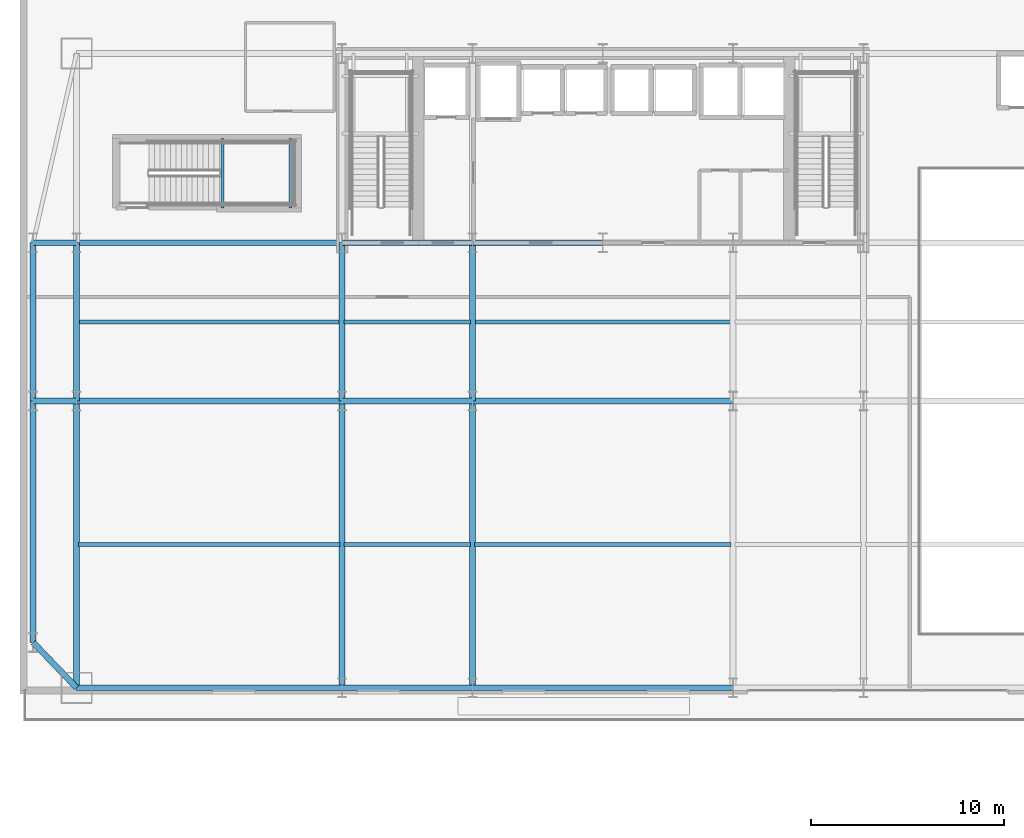
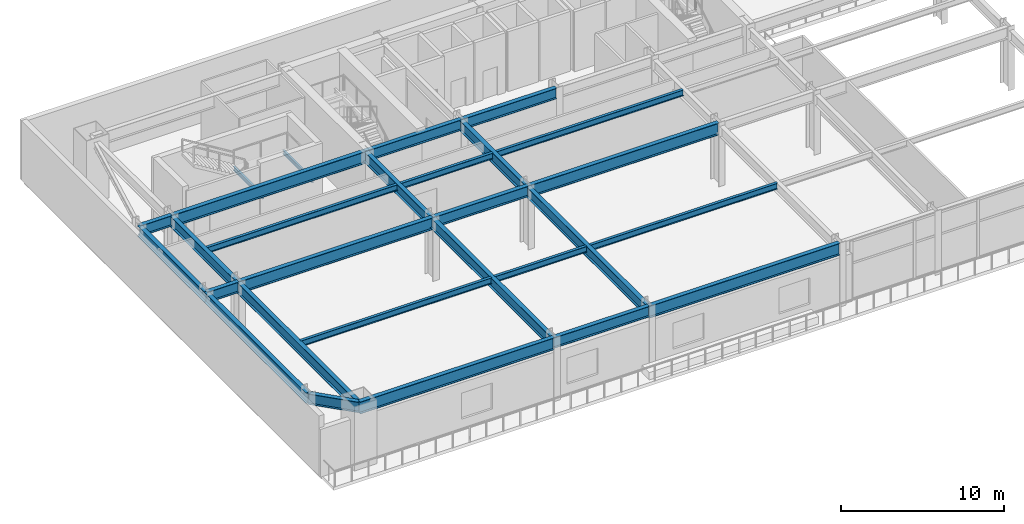
# One storey, part 3 of 28: 28 beams.
"""IFC4 building model written with IfcOpenShell, lengths in metres."""

from ifc_helpers import new_model, si_unit, direction, frame, origin, origin_2d, place, context, subcontext, project, spatial, i_section, extrude, material, material_profile, profile_set, type_object, element, save


model = new_model("IFC4")

# Units and contexts
model_context = context("Model", 3, precision=1e-05, world=origin(), true_north=direction((0.0, 1.0)))
body_context = subcontext(model_context, "Body", "Model", "MODEL_VIEW")
ifc_project = project(units=[si_unit("LENGTHUNIT", "METRE"), si_unit("AREAUNIT", "SQUARE_METRE"), si_unit("VOLUMEUNIT", "CUBIC_METRE"), si_unit("PLANEANGLEUNIT", "RADIAN"), si_unit("MASSUNIT", "GRAM", prefix="KILO")], contexts=[model_context])

# Site, building, storey
site_placement = place(None, origin())
site = spatial("IfcSite", under=ifc_project, at=site_placement, CompositionType="ELEMENT")
building_placement = place(site_placement, origin())
building = spatial("IfcBuilding", under=site, at=building_placement, Name="Haevon Station Towers", CompositionType="ELEMENT")
storey_placement = place(building_placement, frame((0.0, 0.0, 10.800048828125)))
storey = spatial("IfcBuildingStorey", under=building, at=storey_placement, Name="L02", CompositionType="ELEMENT", Elevation=10.800048828125)

# Beams
ifc_material = material(Name="Steel S355", Category="steel")
ifc_material_profile_1 = material_profile(ifc_material, i_section(OverallWidth=0.199951171875, OverallDepth=0.449951171875, WebThickness=0.009033203125, FlangeThickness=0.013916015625, at=origin_2d()), Name="H-450x200x9x14")
ifc_profile_set_1 = profile_set([ifc_material_profile_1], Name="Steel S355")
beam_type_1 = type_object("IfcBeamType", Name="BM-J450", PredefinedType="JOIST", material=ifc_profile_set_1)
beam_1_placement = place(storey_placement, frame((10.360107421875, 22.574951171875, 4.27490234375), z_axis=(1.0, 0.0, 0.0), x_axis=(0.0, 1.0, 0.0)))
element("IfcBeam", 1, at=beam_1_placement, inside=storey, type_object=beam_type_1, Name="BM-T1J-L02-01-01", PredefinedType="JOIST", context=body_context, shape_type="SweptSolid", body=[
    extrude(i_section(OverallWidth=0.199951171875, OverallDepth=0.449951171875, WebThickness=0.009033203125, FlangeThickness=0.013916015625, at=origin_2d()), origin(), (0.0, 0.0, 1.0), 13.52978515625),
])
beam_2_placement = place(storey_placement, frame((24.110107421875, 22.574951171875, 4.27490234375), z_axis=(1.0, 0.0, 0.0), x_axis=(0.0, 1.0, 0.0)))
element("IfcBeam", 2, at=beam_2_placement, inside=storey, type_object=beam_type_1, Name="BM-T1J-L02-01-02", PredefinedType="JOIST", context=body_context, shape_type="SweptSolid", body=[
    extrude(i_section(OverallWidth=0.199951171875, OverallDepth=0.449951171875, WebThickness=0.009033203125, FlangeThickness=0.013916015625, at=origin_2d()), origin(), (0.0, 0.0, 1.0), 6.52978515625),
])
beam_3_placement = place(storey_placement, frame((30.860107421875, 22.574951171875, 4.27490234375), z_axis=(1.0, 0.0, 0.0), x_axis=(0.0, 1.0, 0.0)))
element("IfcBeam", 3, at=beam_3_placement, inside=storey, type_object=beam_type_1, Name="BM-T1J-L02-01-03", PredefinedType="JOIST", context=body_context, shape_type="SweptSolid", body=[
    extrude(i_section(OverallWidth=0.199951171875, OverallDepth=0.449951171875, WebThickness=0.009033203125, FlangeThickness=0.013916015625, at=origin_2d()), origin(), (0.0, 0.0, 1.0), 13.27978515625),
])
beam_4_placement = place(storey_placement, frame((10.360107421875, 34.10009765625, 4.27490234375), z_axis=(1.0, 0.0, 0.0), x_axis=(0.0, 1.0, 0.0)))
element("IfcBeam", 4, at=beam_4_placement, inside=storey, type_object=beam_type_1, Name="BM-T1J-L02-02-01", PredefinedType="JOIST", context=body_context, shape_type="SweptSolid", body=[
    extrude(i_section(OverallWidth=0.199951171875, OverallDepth=0.449951171875, WebThickness=0.009033203125, FlangeThickness=0.013916015625, at=origin_2d()), origin(), (0.0, 0.0, 1.0), 13.52978515625),
])
beam_5_placement = place(storey_placement, frame((24.110107421875, 34.10009765625, 4.27490234375), z_axis=(1.0, 0.0, 0.0), x_axis=(0.0, 1.0, 0.0)))
element("IfcBeam", 5, at=beam_5_placement, inside=storey, type_object=beam_type_1, Name="BM-T1J-L02-02-02", PredefinedType="JOIST", context=body_context, shape_type="SweptSolid", body=[
    extrude(i_section(OverallWidth=0.199951171875, OverallDepth=0.449951171875, WebThickness=0.009033203125, FlangeThickness=0.013916015625, at=origin_2d()), origin(), (0.0, 0.0, 1.0), 6.52978515625),
])
beam_6_placement = place(storey_placement, frame((30.860107421875, 34.10009765625, 4.27490234375), z_axis=(1.0, 0.0, 0.0), x_axis=(0.0, 1.0, 0.0)))
element("IfcBeam", 6, at=beam_6_placement, inside=storey, type_object=beam_type_1, Name="BM-T1J-L02-02-03", PredefinedType="JOIST", context=body_context, shape_type="SweptSolid", body=[
    extrude(i_section(OverallWidth=0.199951171875, OverallDepth=0.449951171875, WebThickness=0.009033203125, FlangeThickness=0.013916015625, at=origin_2d()), origin(), (0.0, 0.0, 1.0), 13.27978515625),
])
ifc_material_profile_2 = material_profile(ifc_material, i_section(OverallWidth=0.14990234375, OverallDepth=0.300048828125, WebThickness=0.006591796875, FlangeThickness=0.009033203125, at=origin_2d()), Name="H-300x150x6.5x9")
ifc_profile_set_2 = profile_set([ifc_material_profile_2], Name="Steel S355")
beam_type_2 = type_object("IfcBeamType", Name="BM-LIN300", PredefinedType="LINTEL", material=ifc_profile_set_2)
for number, where, z_axis, x_axis, name in (
    (7, (17.81396484375, 40.0, 2.050048828125), (0.0, 1.0, 0.0), (-1.0, 0.0, 0.0), "BM-ST5L-L02-1-W"),
    (8, (21.320068359375, 40.0, 2.050048828125), (0.0, 1.0, 0.0), (-1.0, 0.0, 0.0), "BM-ST5L-L02-1-E"),
):
    element("IfcBeam", number, at=place(storey_placement, frame(where, z_axis=z_axis, x_axis=x_axis)), inside=storey, type_object=beam_type_2, Name=name, PredefinedType="LINTEL", context=body_context, shape_type="SweptSolid", body=[
        extrude(i_section(OverallWidth=0.14990234375, OverallDepth=0.300048828125, WebThickness=0.006591796875, FlangeThickness=0.009033203125, at=origin_2d()), origin(), (0.0, 0.0, 1.0), 3.60009765625),
    ])
ifc_material_profile_3 = material_profile(ifc_material, i_section(OverallWidth=0.300048828125, OverallDepth=0.800048828125, WebThickness=0.013916015625, FlangeThickness=0.02587890625, at=origin_2d()), Name="H-800x300x14x26")
ifc_profile_set_3 = profile_set([ifc_material_profile_3], Name="Steel S355")
beam_type_3 = type_object("IfcBeamType", Name="BM-PG800", PredefinedType="BEAM", material=ifc_profile_set_3)
for number, where, z_axis, x_axis, name in (
    (9, (24.0, 15.14990234375, 4.099853515625), (1.0, 0.0, 0.0), (0.0, 1.0, 0.0), "BM-T1X-L02-01-02"),
    (10, (24.0, 30.0, 4.099853515625), (1.0, 0.0, 0.0), (0.0, 1.0, 0.0), "BM-T1X-L02-02-02"),
    (11, (24.0, 38.199951171875, 4.099853515625), (1.0, 0.0, 0.0), (0.0, 1.0, 0.0), "BM-T1X-L02-03-02"),
    (12, (30.75, 38.199951171875, 4.099853515625), (1.0, 0.0, 0.0), (0.0, 1.0, 0.0), "BM-T1X-L02-03-03"),
):
    element("IfcBeam", number, at=place(storey_placement, frame(where, z_axis=z_axis, x_axis=x_axis)), inside=storey, type_object=beam_type_3, Name=name, PredefinedType="BEAM", context=body_context, shape_type="SweptSolid", body=[
        extrude(i_section(OverallWidth=0.300048828125, OverallDepth=0.800048828125, WebThickness=0.013916015625, FlangeThickness=0.02587890625, at=origin_2d()), origin(), (0.0, 0.0, 1.0), 6.75),
    ])
beam_7_placement = place(storey_placement, frame((10.25, 15.14990234375, 4.099853515625), z_axis=(0.0, 1.0, 0.0), x_axis=(-1.0, 0.0, 0.0)))
element("IfcBeam", 13, at=beam_7_placement, inside=storey, type_object=beam_type_3, Name="BM-T1Y-L02-01-01", PredefinedType="BEAM", context=body_context, shape_type="SweptSolid", body=[
    extrude(i_section(OverallWidth=0.300048828125, OverallDepth=0.800048828125, WebThickness=0.013916015625, FlangeThickness=0.02587890625, at=origin_2d()), origin(), (0.0, 0.0, 1.0), 14.85009765625),
])
beam_8_placement = place(storey_placement, frame((10.25, 30.0, 4.099853515625), z_axis=(0.0, 1.0, 0.0), x_axis=(-1.0, 0.0, 0.0)))
element("IfcBeam", 14, at=beam_8_placement, inside=storey, type_object=beam_type_3, Name="BM-T1Y-L02-01-02", PredefinedType="BEAM", context=body_context, shape_type="SweptSolid", body=[
    extrude(i_section(OverallWidth=0.300048828125, OverallDepth=0.800048828125, WebThickness=0.013916015625, FlangeThickness=0.02587890625, at=origin_2d()), origin(), (0.0, 0.0, 1.0), 8.199951171875),
])
beam_9_placement = place(storey_placement, frame((24.0, 15.14990234375, 4.099853515625), z_axis=(0.0, 1.0, 0.0), x_axis=(-1.0, 0.0, 0.0)))
element("IfcBeam", 15, at=beam_9_placement, inside=storey, type_object=beam_type_3, Name="BM-T1Y-L02-02-01", PredefinedType="BEAM", context=body_context, shape_type="SweptSolid", body=[
    extrude(i_section(OverallWidth=0.300048828125, OverallDepth=0.800048828125, WebThickness=0.013916015625, FlangeThickness=0.02587890625, at=origin_2d()), origin(), (0.0, 0.0, 1.0), 14.85009765625),
])
beam_10_placement = place(storey_placement, frame((24.0, 30.0, 4.099853515625), z_axis=(0.0, 1.0, 0.0), x_axis=(-1.0, 0.0, 0.0)))
element("IfcBeam", 16, at=beam_10_placement, inside=storey, type_object=beam_type_3, Name="BM-T1Y-L02-02-02", PredefinedType="BEAM", context=body_context, shape_type="SweptSolid", body=[
    extrude(i_section(OverallWidth=0.300048828125, OverallDepth=0.800048828125, WebThickness=0.013916015625, FlangeThickness=0.02587890625, at=origin_2d()), origin(), (0.0, 0.0, 1.0), 8.199951171875),
])
beam_11_placement = place(storey_placement, frame((30.75, 15.14990234375, 4.099853515625), z_axis=(0.0, 1.0, 0.0), x_axis=(-1.0, 0.0, 0.0)))
element("IfcBeam", 17, at=beam_11_placement, inside=storey, type_object=beam_type_3, Name="BM-T1Y-L02-03-01", PredefinedType="BEAM", context=body_context, shape_type="SweptSolid", body=[
    extrude(i_section(OverallWidth=0.300048828125, OverallDepth=0.800048828125, WebThickness=0.013916015625, FlangeThickness=0.02587890625, at=origin_2d()), origin(), (0.0, 0.0, 1.0), 14.85009765625),
])
beam_12_placement = place(storey_placement, frame((30.75, 30.0, 4.099853515625), z_axis=(0.0, 1.0, 0.0), x_axis=(-1.0, 0.0, 0.0)))
element("IfcBeam", 18, at=beam_12_placement, inside=storey, type_object=beam_type_3, Name="BM-T1Y-L02-03-02", PredefinedType="BEAM", context=body_context, shape_type="SweptSolid", body=[
    extrude(i_section(OverallWidth=0.300048828125, OverallDepth=0.800048828125, WebThickness=0.013916015625, FlangeThickness=0.02587890625, at=origin_2d()), origin(), (0.0, 0.0, 1.0), 8.199951171875),
])
beam_13_placement = place(storey_placement, frame((8.0, 17.5, 4.099853515625), z_axis=(0.691556505419, -0.722322365577, 0.0), x_axis=(0.722322365577, 0.691556505419, 0.0)))
element("IfcBeam", 19, at=beam_13_placement, inside=storey, type_object=beam_type_3, Name="BM-PODW-L02-1", PredefinedType="BEAM", context=body_context, shape_type="SweptSolid", body=[
    extrude(i_section(OverallWidth=0.300048828125, OverallDepth=0.800048828125, WebThickness=0.013916015625, FlangeThickness=0.02587890625, at=origin_2d()), origin(), (0.0, 0.0, 1.0), 3.25341796875),
])
for number, where, z_axis, x_axis, name in (
    (20, (8.0, 30.0, 4.099853515625), (1.0, 0.0, 0.0), (0.0, 1.0, 0.0), "BM-PODW-L02-2"),
    (21, (8.0, 38.199951171875, 4.099853515625), (1.0, 0.0, 0.0), (0.0, 1.0, 0.0), "BM-PODW-L02-3"),
):
    element("IfcBeam", number, at=place(storey_placement, frame(where, z_axis=z_axis, x_axis=x_axis)), inside=storey, type_object=beam_type_3, Name=name, PredefinedType="BEAM", context=body_context, shape_type="SweptSolid", body=[
        extrude(i_section(OverallWidth=0.300048828125, OverallDepth=0.800048828125, WebThickness=0.013916015625, FlangeThickness=0.02587890625, at=origin_2d()), origin(), (0.0, 0.0, 1.0), 2.25),
    ])
beam_14_placement = place(storey_placement, frame((8.0, 17.5, 4.099853515625), z_axis=(0.0, 1.0, 0.0), x_axis=(-1.0, 0.0, 0.0)))
element("IfcBeam", 22, at=beam_14_placement, inside=storey, type_object=beam_type_3, Name="BM-PODNS-L02-W1", PredefinedType="BEAM", context=body_context, shape_type="SweptSolid", body=[
    extrude(i_section(OverallWidth=0.300048828125, OverallDepth=0.800048828125, WebThickness=0.013916015625, FlangeThickness=0.02587890625, at=origin_2d()), origin(), (0.0, 0.0, 1.0), 12.5),
])
beam_15_placement = place(storey_placement, frame((8.0, 30.0, 4.099853515625), z_axis=(0.0, 1.0, 0.0), x_axis=(-1.0, 0.0, 0.0)))
element("IfcBeam", 23, at=beam_15_placement, inside=storey, type_object=beam_type_3, Name="BM-PODNS-L02-W2", PredefinedType="BEAM", context=body_context, shape_type="SweptSolid", body=[
    extrude(i_section(OverallWidth=0.300048828125, OverallDepth=0.800048828125, WebThickness=0.013916015625, FlangeThickness=0.02587890625, at=origin_2d()), origin(), (0.0, 0.0, 1.0), 8.199951171875),
])
ifc_material_profile_4 = material_profile(ifc_material, i_section(OverallWidth=0.300048828125, OverallDepth=0.89990234375, WebThickness=0.01611328125, FlangeThickness=0.028076171875, at=origin_2d()), Name="H-900x300x16x28")
ifc_profile_set_4 = profile_set([ifc_material_profile_4], Name="Steel S355")
beam_type_4 = type_object("IfcBeamType", Name="BM-PG900", PredefinedType="BEAM", material=ifc_profile_set_4)
beam_16_placement = place(storey_placement, frame((10.25, 15.14990234375, 4.050048828125), z_axis=(1.0, 0.0, 0.0), x_axis=(0.0, 1.0, 0.0)))
element("IfcBeam", 24, at=beam_16_placement, inside=storey, type_object=beam_type_4, Name="BM-T1X-L02-01-01", PredefinedType="BEAM", context=body_context, shape_type="SweptSolid", body=[
    extrude(i_section(OverallWidth=0.300048828125, OverallDepth=0.89990234375, WebThickness=0.01611328125, FlangeThickness=0.028076171875, at=origin_2d()), origin(), (0.0, 0.0, 1.0), 13.75),
])
beam_17_placement = place(storey_placement, frame((30.75, 15.14990234375, 4.050048828125), z_axis=(1.0, 0.0, 0.0), x_axis=(0.0, 1.0, 0.0)))
element("IfcBeam", 25, at=beam_17_placement, inside=storey, type_object=beam_type_4, Name="BM-T1X-L02-01-03", PredefinedType="BEAM", context=body_context, shape_type="SweptSolid", body=[
    extrude(i_section(OverallWidth=0.300048828125, OverallDepth=0.89990234375, WebThickness=0.01611328125, FlangeThickness=0.028076171875, at=origin_2d()), origin(), (0.0, 0.0, 1.0), 13.5),
])
beam_18_placement = place(storey_placement, frame((10.25, 30.0, 4.050048828125), z_axis=(1.0, 0.0, 0.0), x_axis=(0.0, 1.0, 0.0)))
element("IfcBeam", 26, at=beam_18_placement, inside=storey, type_object=beam_type_4, Name="BM-T1X-L02-02-01", PredefinedType="BEAM", context=body_context, shape_type="SweptSolid", body=[
    extrude(i_section(OverallWidth=0.300048828125, OverallDepth=0.89990234375, WebThickness=0.01611328125, FlangeThickness=0.028076171875, at=origin_2d()), origin(), (0.0, 0.0, 1.0), 13.75),
])
beam_19_placement = place(storey_placement, frame((30.75, 30.0, 4.050048828125), z_axis=(1.0, 0.0, 0.0), x_axis=(0.0, 1.0, 0.0)))
element("IfcBeam", 27, at=beam_19_placement, inside=storey, type_object=beam_type_4, Name="BM-T1X-L02-02-03", PredefinedType="BEAM", context=body_context, shape_type="SweptSolid", body=[
    extrude(i_section(OverallWidth=0.300048828125, OverallDepth=0.89990234375, WebThickness=0.01611328125, FlangeThickness=0.028076171875, at=origin_2d()), origin(), (0.0, 0.0, 1.0), 13.5),
])
beam_20_placement = place(storey_placement, frame((10.25, 38.199951171875, 4.050048828125), z_axis=(1.0, 0.0, 0.0), x_axis=(0.0, 1.0, 0.0)))
element("IfcBeam", 28, at=beam_20_placement, inside=storey, type_object=beam_type_4, Name="BM-T1X-L02-03-01", PredefinedType="BEAM", context=body_context, shape_type="SweptSolid", body=[
    extrude(i_section(OverallWidth=0.300048828125, OverallDepth=0.89990234375, WebThickness=0.01611328125, FlangeThickness=0.028076171875, at=origin_2d()), origin(), (0.0, 0.0, 1.0), 13.75),
])

save(model, "model.ifc")
